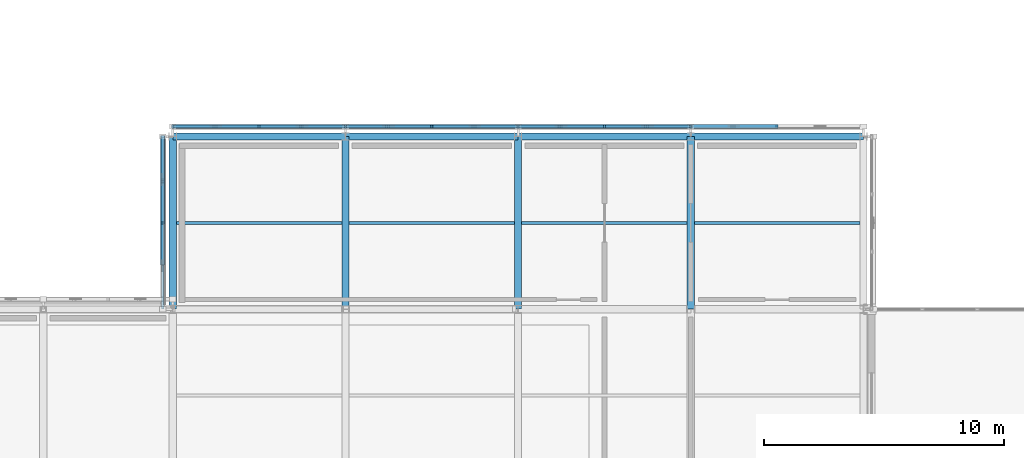
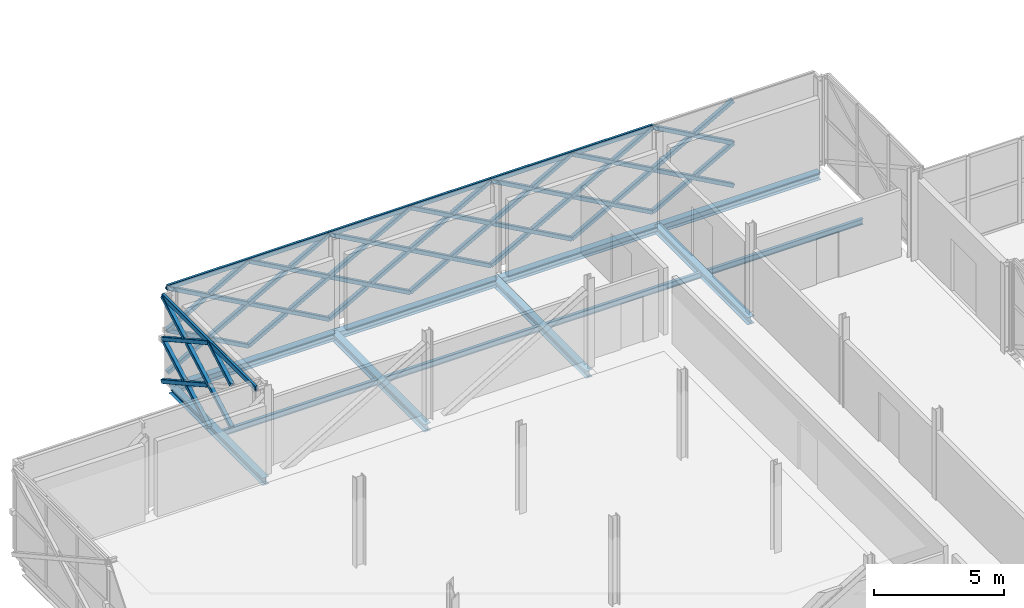
# One storey, part 47 of 126: 54 members, 12 beams.
"""IFC4 building model written with IfcOpenShell, lengths in metres."""

from ifc_helpers import new_model, si_unit, direction, frame, origin, origin_2d, place, context, subcontext, project, spatial, hollow_rectangle, i_section, extrude, material, material_profile, profile_set, type_object, element, save


model = new_model("IFC4")

# Units and contexts
model_context = context("Model", 3, precision=1e-05, world=origin(), true_north=direction((0.0, 1.0)))
body_context = subcontext(model_context, "Body", "Model", "MODEL_VIEW")
ifc_project = project(units=[si_unit("LENGTHUNIT", "METRE"), si_unit("AREAUNIT", "SQUARE_METRE"), si_unit("VOLUMEUNIT", "CUBIC_METRE"), si_unit("PLANEANGLEUNIT", "RADIAN"), si_unit("MASSUNIT", "GRAM", prefix="KILO")], contexts=[model_context])

# Site, building, storey
site_placement = place(None, origin())
site = spatial("IfcSite", under=ifc_project, at=site_placement, CompositionType="ELEMENT")
building_placement = place(site_placement, origin())
building = spatial("IfcBuilding", under=site, at=building_placement, Name="Zlatovets Crest Museum", CompositionType="ELEMENT")
storey_placement = place(building_placement, frame((0.0, 0.0, 8.699951171875)))
storey = spatial("IfcBuildingStorey", under=building, at=storey_placement, Name="L02", CompositionType="ELEMENT", Elevation=8.699951171875)

# Beams
ifc_material_1 = material(Name="Structural steel S355J2", Category="steel")
ifc_material_profile_1 = material_profile(ifc_material_1, i_section(OverallWidth=0.300048828125, OverallDepth=0.35009765625, WebThickness=0.010009765625, FlangeThickness=0.017578125, FilletRadius=0.027099609375, at=origin_2d()), Name="HEA 360")
ifc_profile_set_1 = profile_set([ifc_material_profile_1], Name="Structural steel S355J2")
beam_type_1 = type_object("IfcBeamType", Name="Beam_B-03", PredefinedType="BEAM", material=ifc_profile_set_1)
beam_1_placement = place(storey_placement, frame((7.199951171875, 100.800048828125, -0.39501953125), z_axis=(1.0, 0.0, 0.0), x_axis=(0.0, 1.0, 0.0)))
element("IfcBeam", 1, at=beam_1_placement, inside=storey, type_object=beam_type_1, Name="V4 L02 Primary Girder B-03", PredefinedType="BEAM", context=body_context, shape_type="SweptSolid", body=[
    extrude(i_section(OverallWidth=0.300048828125, OverallDepth=0.35009765625, WebThickness=0.010009765625, FlangeThickness=0.017578125, FilletRadius=0.027099609375, at=origin_2d()), origin(), (0.0, 0.0, 1.0), 7.199951171875),
])
beam_2_placement = place(storey_placement, frame((14.39990234375, 100.800048828125, -0.39501953125), z_axis=(1.0, 0.0, 0.0), x_axis=(0.0, 1.0, 0.0)))
element("IfcBeam", 2, at=beam_2_placement, inside=storey, type_object=beam_type_1, Name="V4 L02 Primary Girder B-03", PredefinedType="BEAM", context=body_context, shape_type="SweptSolid", body=[
    extrude(i_section(OverallWidth=0.300048828125, OverallDepth=0.35009765625, WebThickness=0.010009765625, FlangeThickness=0.017578125, FilletRadius=0.027099609375, at=origin_2d()), origin(), (0.0, 0.0, 1.0), 7.2001953125),
])
for number, where, z_axis, x_axis, name in (
    (3, (21.60009765625, 100.800048828125, -0.39501953125), (1.0, 0.0, 0.0), (0.0, 1.0, 0.0), "V4 L02 Primary Girder B-03"),
    (4, (28.800048828125, 100.800048828125, -0.39501953125), (1.0, 0.0, 0.0), (0.0, 1.0, 0.0), "V4 L02 Primary Girder B-03"),
    (5, (7.199951171875, 93.60009765625, -0.39501953125), (0.0, 1.0, 0.0), (-1.0, 0.0, 0.0), "V4 L02 Grid Beam B-03"),
    (6, (14.39990234375, 93.60009765625, -0.39501953125), (0.0, 1.0, 0.0), (-1.0, 0.0, 0.0), "V4 L02 Grid Beam B-03"),
    (7, (21.60009765625, 93.60009765625, -0.39501953125), (0.0, 1.0, 0.0), (-1.0, 0.0, 0.0), "V4 L02 Grid Beam B-03"),
    (8, (28.800048828125, 93.60009765625, -0.39501953125), (0.0, 1.0, 0.0), (-1.0, 0.0, 0.0), "V4 L02 Grid Beam B-03"),
):
    element("IfcBeam", number, at=place(storey_placement, frame(where, z_axis=z_axis, x_axis=x_axis)), inside=storey, type_object=beam_type_1, Name=name, PredefinedType="BEAM", context=body_context, shape_type="SweptSolid", body=[
        extrude(i_section(OverallWidth=0.300048828125, OverallDepth=0.35009765625, WebThickness=0.010009765625, FlangeThickness=0.017578125, FilletRadius=0.027099609375, at=origin_2d()), origin(), (0.0, 0.0, 1.0), 7.199951171875),
    ])
ifc_material_profile_2 = material_profile(ifc_material_1, i_section(OverallWidth=0.135009765625, OverallDepth=0.27001953125, WebThickness=0.006591796875, FlangeThickness=0.01025390625, FilletRadius=0.014892578125, at=origin_2d()), Name="IPE 270")
ifc_profile_set_2 = profile_set([ifc_material_profile_2], Name="Structural steel S355J2")
beam_type_2 = type_object("IfcBeamType", Name="Beam_J-03", PredefinedType="JOIST", material=ifc_profile_set_2)
for number, where, z_axis, x_axis, name in (
    (9, (7.35009765625, 97.199951171875, -0.35498046875), (1.0, 0.0, 0.0), (0.0, 1.0, 0.0), "V4 L02 Composite Joist J-03"),
    (10, (14.550048828125, 97.199951171875, -0.35498046875), (1.0, 0.0, 0.0), (0.0, 1.0, 0.0), "V4 L02 Composite Joist J-03"),
    (11, (21.75, 97.199951171875, -0.35498046875), (1.0, 0.0, 0.0), (0.0, 1.0, 0.0), "V4 L02 Composite Joist J-03"),
):
    element("IfcBeam", number, at=place(storey_placement, frame(where, z_axis=z_axis, x_axis=x_axis)), inside=storey, type_object=beam_type_2, Name=name, PredefinedType="JOIST", context=body_context, shape_type="SweptSolid", body=[
        extrude(i_section(OverallWidth=0.135009765625, OverallDepth=0.27001953125, WebThickness=0.006591796875, FlangeThickness=0.01025390625, FilletRadius=0.014892578125, at=origin_2d()), origin(), (0.0, 0.0, 1.0), 6.89990234375),
    ])
beam_3_placement = place(storey_placement, frame((28.949951171875, 97.199951171875, -0.35498046875), z_axis=(1.0, 0.0, 0.0), x_axis=(0.0, 1.0, 0.0)))
element("IfcBeam", 12, at=beam_3_placement, inside=storey, type_object=beam_type_2, Name="V4 L02 Composite Joist J-03", PredefinedType="JOIST", context=body_context, shape_type="SweptSolid", body=[
    extrude(i_section(OverallWidth=0.135009765625, OverallDepth=0.27001953125, WebThickness=0.006591796875, FlangeThickness=0.01025390625, FilletRadius=0.014892578125, at=origin_2d()), origin(), (0.0, 0.0, 1.0), 6.900146484375),
])

# Members
ifc_material_2 = material(Name="Weathering bronze-steel S355J2W", Category="steel")
ifc_material_profile_3 = material_profile(ifc_material_2, hollow_rectangle(XDim=0.179931640625, YDim=0.179931640625, WallThickness=0.010009765625, InnerFilletRadius=0.010009765625, OuterFilletRadius=0.02001953125, at=origin_2d()), Name="SHS 180x180x10.0")
ifc_profile_set_3 = profile_set([ifc_material_profile_3], Name="Weathering bronze-steel S355J2W")
member_type_1 = type_object("IfcMemberType", Name="Lattice_XL-01", PredefinedType="BRACE", material=ifc_profile_set_3)
member_1_placement = place(storey_placement, frame((14.39990234375, 101.219970703125, 0.10009765625), z_axis=(-0.874148886685, 0.0, 0.485658031857), x_axis=(0.0, -1.0, 0.0)))
element("IfcMember", 13, at=member_1_placement, inside=storey, type_object=member_type_1, Name="Continuous Bronze Lattice Diagonal", PredefinedType="BRACE", context=body_context, shape_type="SweptSolid", body=[
    extrude(hollow_rectangle(XDim=0.179931640625, YDim=0.179931640625, WallThickness=0.010009765625, InnerFilletRadius=0.010009765625, OuterFilletRadius=0.02001953125, at=origin_2d()), origin(), (0.0, 0.0, 1.0), 4.1181640625),
])
member_2_placement = place(storey_placement, frame((14.39990234375, 101.219970703125, 2.10009765625), z_axis=(-0.874139684676, 0.0, -0.48567459443), x_axis=(0.0, -1.0, 0.0)))
element("IfcMember", 14, at=member_2_placement, inside=storey, type_object=member_type_1, Name="Split Crossing Bronze Lattice Diagonal Upper", PredefinedType="BRACE", context=body_context, shape_type="SweptSolid", body=[
    extrude(hollow_rectangle(XDim=0.179931640625, YDim=0.179931640625, WallThickness=0.010009765625, InnerFilletRadius=0.010009765625, OuterFilletRadius=0.02001953125, at=origin_2d()), origin(), (0.0, 0.0, 1.0), 1.9638671875),
])
member_3_placement = place(storey_placement, frame((12.51708984375, 101.219970703125, 1.053955078125), z_axis=(-0.874169001841, 0.0, -0.485621824284), x_axis=(0.0, -1.0, 0.0)))
element("IfcMember", 15, at=member_3_placement, inside=storey, type_object=member_type_1, Name="Split Crossing Bronze Lattice Diagonal Lower", PredefinedType="BRACE", context=body_context, shape_type="SweptSolid", body=[
    extrude(hollow_rectangle(XDim=0.179931640625, YDim=0.179931640625, WallThickness=0.010009765625, InnerFilletRadius=0.010009765625, OuterFilletRadius=0.02001953125, at=origin_2d()), origin(), (0.0, 0.0, 1.0), 1.964111328125),
])
member_4_placement = place(storey_placement, frame((10.800048828125, 101.219970703125, 0.10009765625), z_axis=(-0.874162868644, 0.0, 0.485632864501), x_axis=(0.0, -1.0, 0.0)))
element("IfcMember", 16, at=member_4_placement, inside=storey, type_object=member_type_1, Name="Continuous Bronze Lattice Diagonal", PredefinedType="BRACE", context=body_context, shape_type="SweptSolid", body=[
    extrude(hollow_rectangle(XDim=0.179931640625, YDim=0.179931640625, WallThickness=0.010009765625, InnerFilletRadius=0.010009765625, OuterFilletRadius=0.02001953125, at=origin_2d()), origin(), (0.0, 0.0, 1.0), 4.118408203125),
])
for number, where, z_axis, x_axis, name in (
    (17, (10.800048828125, 101.219970703125, 2.10009765625), (-0.874169001841, 0.0, -0.485621824284), (0.0, -1.0, 0.0), "Split Crossing Bronze Lattice Diagonal Upper"),
    (18, (8.9169921875, 101.219970703125, 1.053955078125), (-0.874169001841, 0.0, -0.485621824284), (0.0, -1.0, 0.0), "Split Crossing Bronze Lattice Diagonal Lower"),
):
    element("IfcMember", number, at=place(storey_placement, frame(where, z_axis=z_axis, x_axis=x_axis)), inside=storey, type_object=member_type_1, Name=name, PredefinedType="BRACE", context=body_context, shape_type="SweptSolid", body=[
        extrude(hollow_rectangle(XDim=0.179931640625, YDim=0.179931640625, WallThickness=0.010009765625, InnerFilletRadius=0.010009765625, OuterFilletRadius=0.02001953125, at=origin_2d()), origin(), (0.0, 0.0, 1.0), 1.964111328125),
    ])
member_5_placement = place(storey_placement, frame((14.39990234375, 101.219970703125, 2.10009765625), z_axis=(-0.874148886685, 0.0, 0.485658031857), x_axis=(0.0, -1.0, 0.0)))
element("IfcMember", 19, at=member_5_placement, inside=storey, type_object=member_type_1, Name="Continuous Bronze Lattice Diagonal", PredefinedType="BRACE", context=body_context, shape_type="SweptSolid", body=[
    extrude(hollow_rectangle(XDim=0.179931640625, YDim=0.179931640625, WallThickness=0.010009765625, InnerFilletRadius=0.010009765625, OuterFilletRadius=0.02001953125, at=origin_2d()), origin(), (0.0, 0.0, 1.0), 4.1181640625),
])
member_6_placement = place(storey_placement, frame((14.39990234375, 101.219970703125, 4.10009765625), z_axis=(-0.874139684676, 0.0, -0.48567459443), x_axis=(0.0, -1.0, 0.0)))
element("IfcMember", 20, at=member_6_placement, inside=storey, type_object=member_type_1, Name="Split Crossing Bronze Lattice Diagonal Upper", PredefinedType="BRACE", context=body_context, shape_type="SweptSolid", body=[
    extrude(hollow_rectangle(XDim=0.179931640625, YDim=0.179931640625, WallThickness=0.010009765625, InnerFilletRadius=0.010009765625, OuterFilletRadius=0.02001953125, at=origin_2d()), origin(), (0.0, 0.0, 1.0), 1.9638671875),
])
member_7_placement = place(storey_placement, frame((12.51708984375, 101.219970703125, 3.053955078125), z_axis=(-0.874169001841, 0.0, -0.485621824284), x_axis=(0.0, -1.0, 0.0)))
element("IfcMember", 21, at=member_7_placement, inside=storey, type_object=member_type_1, Name="Split Crossing Bronze Lattice Diagonal Lower", PredefinedType="BRACE", context=body_context, shape_type="SweptSolid", body=[
    extrude(hollow_rectangle(XDim=0.179931640625, YDim=0.179931640625, WallThickness=0.010009765625, InnerFilletRadius=0.010009765625, OuterFilletRadius=0.02001953125, at=origin_2d()), origin(), (0.0, 0.0, 1.0), 1.964111328125),
])
member_8_placement = place(storey_placement, frame((10.800048828125, 101.219970703125, 2.10009765625), z_axis=(-0.874162868644, 0.0, 0.485632864501), x_axis=(0.0, -1.0, 0.0)))
element("IfcMember", 22, at=member_8_placement, inside=storey, type_object=member_type_1, Name="Continuous Bronze Lattice Diagonal", PredefinedType="BRACE", context=body_context, shape_type="SweptSolid", body=[
    extrude(hollow_rectangle(XDim=0.179931640625, YDim=0.179931640625, WallThickness=0.010009765625, InnerFilletRadius=0.010009765625, OuterFilletRadius=0.02001953125, at=origin_2d()), origin(), (0.0, 0.0, 1.0), 4.118408203125),
])
for number, where, z_axis, x_axis, name in (
    (23, (10.800048828125, 101.219970703125, 4.10009765625), (-0.874169001841, 0.0, -0.485621824284), (0.0, -1.0, 0.0), "Split Crossing Bronze Lattice Diagonal Upper"),
    (24, (8.9169921875, 101.219970703125, 3.053955078125), (-0.874169001841, 0.0, -0.485621824284), (0.0, -1.0, 0.0), "Split Crossing Bronze Lattice Diagonal Lower"),
):
    element("IfcMember", number, at=place(storey_placement, frame(where, z_axis=z_axis, x_axis=x_axis)), inside=storey, type_object=member_type_1, Name=name, PredefinedType="BRACE", context=body_context, shape_type="SweptSolid", body=[
        extrude(hollow_rectangle(XDim=0.179931640625, YDim=0.179931640625, WallThickness=0.010009765625, InnerFilletRadius=0.010009765625, OuterFilletRadius=0.02001953125, at=origin_2d()), origin(), (0.0, 0.0, 1.0), 1.964111328125),
    ])
member_9_placement = place(storey_placement, frame((21.60009765625, 101.219970703125, 0.10009765625), z_axis=(-0.874162868644, 0.0, 0.485632864501), x_axis=(0.0, -1.0, 0.0)))
element("IfcMember", 25, at=member_9_placement, inside=storey, type_object=member_type_1, Name="Continuous Bronze Lattice Diagonal", PredefinedType="BRACE", context=body_context, shape_type="SweptSolid", body=[
    extrude(hollow_rectangle(XDim=0.179931640625, YDim=0.179931640625, WallThickness=0.010009765625, InnerFilletRadius=0.010009765625, OuterFilletRadius=0.02001953125, at=origin_2d()), origin(), (0.0, 0.0, 1.0), 4.118408203125),
])
for number, where, z_axis, x_axis, name in (
    (26, (21.60009765625, 101.219970703125, 2.10009765625), (-0.874169001841, 0.0, -0.485621824284), (0.0, -1.0, 0.0), "Split Crossing Bronze Lattice Diagonal Upper"),
    (27, (19.717041015625, 101.219970703125, 1.053955078125), (-0.874169001841, 0.0, -0.485621824284), (0.0, -1.0, 0.0), "Split Crossing Bronze Lattice Diagonal Lower"),
):
    element("IfcMember", number, at=place(storey_placement, frame(where, z_axis=z_axis, x_axis=x_axis)), inside=storey, type_object=member_type_1, Name=name, PredefinedType="BRACE", context=body_context, shape_type="SweptSolid", body=[
        extrude(hollow_rectangle(XDim=0.179931640625, YDim=0.179931640625, WallThickness=0.010009765625, InnerFilletRadius=0.010009765625, OuterFilletRadius=0.02001953125, at=origin_2d()), origin(), (0.0, 0.0, 1.0), 1.964111328125),
    ])
member_10_placement = place(storey_placement, frame((18.0, 101.219970703125, 0.10009765625), z_axis=(-0.874162868644, 0.0, 0.485632864501), x_axis=(0.0, -1.0, 0.0)))
element("IfcMember", 28, at=member_10_placement, inside=storey, type_object=member_type_1, Name="Continuous Bronze Lattice Diagonal", PredefinedType="BRACE", context=body_context, shape_type="SweptSolid", body=[
    extrude(hollow_rectangle(XDim=0.179931640625, YDim=0.179931640625, WallThickness=0.010009765625, InnerFilletRadius=0.010009765625, OuterFilletRadius=0.02001953125, at=origin_2d()), origin(), (0.0, 0.0, 1.0), 4.118408203125),
])
for number, where, z_axis, x_axis, name in (
    (29, (18.0, 101.219970703125, 2.10009765625), (-0.874169001841, 0.0, -0.485621824284), (0.0, -1.0, 0.0), "Split Crossing Bronze Lattice Diagonal Upper"),
    (30, (16.116943359375, 101.219970703125, 1.053955078125), (-0.874169001841, 0.0, -0.485621824284), (0.0, -1.0, 0.0), "Split Crossing Bronze Lattice Diagonal Lower"),
):
    element("IfcMember", number, at=place(storey_placement, frame(where, z_axis=z_axis, x_axis=x_axis)), inside=storey, type_object=member_type_1, Name=name, PredefinedType="BRACE", context=body_context, shape_type="SweptSolid", body=[
        extrude(hollow_rectangle(XDim=0.179931640625, YDim=0.179931640625, WallThickness=0.010009765625, InnerFilletRadius=0.010009765625, OuterFilletRadius=0.02001953125, at=origin_2d()), origin(), (0.0, 0.0, 1.0), 1.964111328125),
    ])
member_11_placement = place(storey_placement, frame((21.60009765625, 101.219970703125, 2.10009765625), z_axis=(-0.874162868644, 0.0, 0.485632864501), x_axis=(0.0, -1.0, 0.0)))
element("IfcMember", 31, at=member_11_placement, inside=storey, type_object=member_type_1, Name="Continuous Bronze Lattice Diagonal", PredefinedType="BRACE", context=body_context, shape_type="SweptSolid", body=[
    extrude(hollow_rectangle(XDim=0.179931640625, YDim=0.179931640625, WallThickness=0.010009765625, InnerFilletRadius=0.010009765625, OuterFilletRadius=0.02001953125, at=origin_2d()), origin(), (0.0, 0.0, 1.0), 4.118408203125),
])
for number, where, z_axis, x_axis, name in (
    (32, (21.60009765625, 101.219970703125, 4.10009765625), (-0.874169001841, 0.0, -0.485621824284), (0.0, -1.0, 0.0), "Split Crossing Bronze Lattice Diagonal Upper"),
    (33, (19.717041015625, 101.219970703125, 3.053955078125), (-0.874169001841, 0.0, -0.485621824284), (0.0, -1.0, 0.0), "Split Crossing Bronze Lattice Diagonal Lower"),
):
    element("IfcMember", number, at=place(storey_placement, frame(where, z_axis=z_axis, x_axis=x_axis)), inside=storey, type_object=member_type_1, Name=name, PredefinedType="BRACE", context=body_context, shape_type="SweptSolid", body=[
        extrude(hollow_rectangle(XDim=0.179931640625, YDim=0.179931640625, WallThickness=0.010009765625, InnerFilletRadius=0.010009765625, OuterFilletRadius=0.02001953125, at=origin_2d()), origin(), (0.0, 0.0, 1.0), 1.964111328125),
    ])
member_12_placement = place(storey_placement, frame((18.0, 101.219970703125, 2.10009765625), z_axis=(-0.874162868644, 0.0, 0.485632864501), x_axis=(0.0, -1.0, 0.0)))
element("IfcMember", 34, at=member_12_placement, inside=storey, type_object=member_type_1, Name="Continuous Bronze Lattice Diagonal", PredefinedType="BRACE", context=body_context, shape_type="SweptSolid", body=[
    extrude(hollow_rectangle(XDim=0.179931640625, YDim=0.179931640625, WallThickness=0.010009765625, InnerFilletRadius=0.010009765625, OuterFilletRadius=0.02001953125, at=origin_2d()), origin(), (0.0, 0.0, 1.0), 4.118408203125),
])
for number, where, z_axis, x_axis, name in (
    (35, (18.0, 101.219970703125, 4.10009765625), (-0.874169001841, 0.0, -0.485621824284), (0.0, -1.0, 0.0), "Split Crossing Bronze Lattice Diagonal Upper"),
    (36, (16.116943359375, 101.219970703125, 3.053955078125), (-0.874169001841, 0.0, -0.485621824284), (0.0, -1.0, 0.0), "Split Crossing Bronze Lattice Diagonal Lower"),
):
    element("IfcMember", number, at=place(storey_placement, frame(where, z_axis=z_axis, x_axis=x_axis)), inside=storey, type_object=member_type_1, Name=name, PredefinedType="BRACE", context=body_context, shape_type="SweptSolid", body=[
        extrude(hollow_rectangle(XDim=0.179931640625, YDim=0.179931640625, WallThickness=0.010009765625, InnerFilletRadius=0.010009765625, OuterFilletRadius=0.02001953125, at=origin_2d()), origin(), (0.0, 0.0, 1.0), 1.964111328125),
    ])
member_13_placement = place(storey_placement, frame((28.800048828125, 101.219970703125, 0.10009765625), z_axis=(-0.874162868644, 0.0, 0.485632864501), x_axis=(0.0, -1.0, 0.0)))
element("IfcMember", 37, at=member_13_placement, inside=storey, type_object=member_type_1, Name="Continuous Bronze Lattice Diagonal", PredefinedType="BRACE", context=body_context, shape_type="SweptSolid", body=[
    extrude(hollow_rectangle(XDim=0.179931640625, YDim=0.179931640625, WallThickness=0.010009765625, InnerFilletRadius=0.010009765625, OuterFilletRadius=0.02001953125, at=origin_2d()), origin(), (0.0, 0.0, 1.0), 4.118408203125),
])
for number, where, z_axis, x_axis, name in (
    (38, (28.800048828125, 101.219970703125, 2.10009765625), (-0.874169001841, 0.0, -0.485621824284), (0.0, -1.0, 0.0), "Split Crossing Bronze Lattice Diagonal Upper"),
    (39, (26.9169921875, 101.219970703125, 1.053955078125), (-0.874169001841, 0.0, -0.485621824284), (0.0, -1.0, 0.0), "Split Crossing Bronze Lattice Diagonal Lower"),
):
    element("IfcMember", number, at=place(storey_placement, frame(where, z_axis=z_axis, x_axis=x_axis)), inside=storey, type_object=member_type_1, Name=name, PredefinedType="BRACE", context=body_context, shape_type="SweptSolid", body=[
        extrude(hollow_rectangle(XDim=0.179931640625, YDim=0.179931640625, WallThickness=0.010009765625, InnerFilletRadius=0.010009765625, OuterFilletRadius=0.02001953125, at=origin_2d()), origin(), (0.0, 0.0, 1.0), 1.964111328125),
    ])
member_14_placement = place(storey_placement, frame((25.199951171875, 101.219970703125, 0.10009765625), z_axis=(-0.874148886685, 0.0, 0.485658031857), x_axis=(0.0, -1.0, 0.0)))
element("IfcMember", 40, at=member_14_placement, inside=storey, type_object=member_type_1, Name="Continuous Bronze Lattice Diagonal", PredefinedType="BRACE", context=body_context, shape_type="SweptSolid", body=[
    extrude(hollow_rectangle(XDim=0.179931640625, YDim=0.179931640625, WallThickness=0.010009765625, InnerFilletRadius=0.010009765625, OuterFilletRadius=0.02001953125, at=origin_2d()), origin(), (0.0, 0.0, 1.0), 4.1181640625),
])
member_15_placement = place(storey_placement, frame((25.199951171875, 101.219970703125, 2.10009765625), z_axis=(-0.874169001841, 0.0, -0.485621824284), x_axis=(0.0, -1.0, 0.0)))
element("IfcMember", 41, at=member_15_placement, inside=storey, type_object=member_type_1, Name="Split Crossing Bronze Lattice Diagonal Upper", PredefinedType="BRACE", context=body_context, shape_type="SweptSolid", body=[
    extrude(hollow_rectangle(XDim=0.179931640625, YDim=0.179931640625, WallThickness=0.010009765625, InnerFilletRadius=0.010009765625, OuterFilletRadius=0.02001953125, at=origin_2d()), origin(), (0.0, 0.0, 1.0), 1.964111328125),
])
member_16_placement = place(storey_placement, frame((23.31689453125, 101.219970703125, 1.053955078125), z_axis=(-0.874139684676, 0.0, -0.48567459443), x_axis=(0.0, -1.0, 0.0)))
element("IfcMember", 42, at=member_16_placement, inside=storey, type_object=member_type_1, Name="Split Crossing Bronze Lattice Diagonal Lower", PredefinedType="BRACE", context=body_context, shape_type="SweptSolid", body=[
    extrude(hollow_rectangle(XDim=0.179931640625, YDim=0.179931640625, WallThickness=0.010009765625, InnerFilletRadius=0.010009765625, OuterFilletRadius=0.02001953125, at=origin_2d()), origin(), (0.0, 0.0, 1.0), 1.9638671875),
])
member_17_placement = place(storey_placement, frame((28.800048828125, 101.219970703125, 2.10009765625), z_axis=(-0.874162868644, 0.0, 0.485632864501), x_axis=(0.0, -1.0, 0.0)))
element("IfcMember", 43, at=member_17_placement, inside=storey, type_object=member_type_1, Name="Continuous Bronze Lattice Diagonal", PredefinedType="BRACE", context=body_context, shape_type="SweptSolid", body=[
    extrude(hollow_rectangle(XDim=0.179931640625, YDim=0.179931640625, WallThickness=0.010009765625, InnerFilletRadius=0.010009765625, OuterFilletRadius=0.02001953125, at=origin_2d()), origin(), (0.0, 0.0, 1.0), 4.118408203125),
])
for number, where, z_axis, x_axis, name in (
    (44, (28.800048828125, 101.219970703125, 4.10009765625), (-0.874169001841, 0.0, -0.485621824284), (0.0, -1.0, 0.0), "Split Crossing Bronze Lattice Diagonal Upper"),
    (45, (26.9169921875, 101.219970703125, 3.053955078125), (-0.874169001841, 0.0, -0.485621824284), (0.0, -1.0, 0.0), "Split Crossing Bronze Lattice Diagonal Lower"),
):
    element("IfcMember", number, at=place(storey_placement, frame(where, z_axis=z_axis, x_axis=x_axis)), inside=storey, type_object=member_type_1, Name=name, PredefinedType="BRACE", context=body_context, shape_type="SweptSolid", body=[
        extrude(hollow_rectangle(XDim=0.179931640625, YDim=0.179931640625, WallThickness=0.010009765625, InnerFilletRadius=0.010009765625, OuterFilletRadius=0.02001953125, at=origin_2d()), origin(), (0.0, 0.0, 1.0), 1.964111328125),
    ])
member_18_placement = place(storey_placement, frame((25.199951171875, 101.219970703125, 2.10009765625), z_axis=(-0.874148886685, 0.0, 0.485658031857), x_axis=(0.0, -1.0, 0.0)))
element("IfcMember", 46, at=member_18_placement, inside=storey, type_object=member_type_1, Name="Continuous Bronze Lattice Diagonal", PredefinedType="BRACE", context=body_context, shape_type="SweptSolid", body=[
    extrude(hollow_rectangle(XDim=0.179931640625, YDim=0.179931640625, WallThickness=0.010009765625, InnerFilletRadius=0.010009765625, OuterFilletRadius=0.02001953125, at=origin_2d()), origin(), (0.0, 0.0, 1.0), 4.1181640625),
])
member_19_placement = place(storey_placement, frame((25.199951171875, 101.219970703125, 4.10009765625), z_axis=(-0.874169001841, 0.0, -0.485621824284), x_axis=(0.0, -1.0, 0.0)))
element("IfcMember", 47, at=member_19_placement, inside=storey, type_object=member_type_1, Name="Split Crossing Bronze Lattice Diagonal Upper", PredefinedType="BRACE", context=body_context, shape_type="SweptSolid", body=[
    extrude(hollow_rectangle(XDim=0.179931640625, YDim=0.179931640625, WallThickness=0.010009765625, InnerFilletRadius=0.010009765625, OuterFilletRadius=0.02001953125, at=origin_2d()), origin(), (0.0, 0.0, 1.0), 1.964111328125),
])
member_20_placement = place(storey_placement, frame((23.31689453125, 101.219970703125, 3.053955078125), z_axis=(-0.874139684676, 0.0, -0.48567459443), x_axis=(0.0, -1.0, 0.0)))
element("IfcMember", 48, at=member_20_placement, inside=storey, type_object=member_type_1, Name="Split Crossing Bronze Lattice Diagonal Lower", PredefinedType="BRACE", context=body_context, shape_type="SweptSolid", body=[
    extrude(hollow_rectangle(XDim=0.179931640625, YDim=0.179931640625, WallThickness=0.010009765625, InnerFilletRadius=0.010009765625, OuterFilletRadius=0.02001953125, at=origin_2d()), origin(), (0.0, 0.0, 1.0), 1.9638671875),
])
member_21_placement = place(storey_placement, frame((32.39990234375, 101.219970703125, 0.10009765625), z_axis=(-0.874148886685, 0.0, 0.485658031857), x_axis=(0.0, -1.0, 0.0)))
element("IfcMember", 49, at=member_21_placement, inside=storey, type_object=member_type_1, Name="Continuous Bronze Lattice Diagonal", PredefinedType="BRACE", context=body_context, shape_type="SweptSolid", body=[
    extrude(hollow_rectangle(XDim=0.179931640625, YDim=0.179931640625, WallThickness=0.010009765625, InnerFilletRadius=0.010009765625, OuterFilletRadius=0.02001953125, at=origin_2d()), origin(), (0.0, 0.0, 1.0), 4.1181640625),
])
member_22_placement = place(storey_placement, frame((32.39990234375, 101.219970703125, 2.10009765625), z_axis=(-0.874139684676, 0.0, -0.48567459443), x_axis=(0.0, -1.0, 0.0)))
element("IfcMember", 50, at=member_22_placement, inside=storey, type_object=member_type_1, Name="Split Crossing Bronze Lattice Diagonal Upper", PredefinedType="BRACE", context=body_context, shape_type="SweptSolid", body=[
    extrude(hollow_rectangle(XDim=0.179931640625, YDim=0.179931640625, WallThickness=0.010009765625, InnerFilletRadius=0.010009765625, OuterFilletRadius=0.02001953125, at=origin_2d()), origin(), (0.0, 0.0, 1.0), 1.9638671875),
])
member_23_placement = place(storey_placement, frame((30.51708984375, 101.219970703125, 1.053955078125), z_axis=(-0.874169001841, 0.0, -0.485621824284), x_axis=(0.0, -1.0, 0.0)))
element("IfcMember", 51, at=member_23_placement, inside=storey, type_object=member_type_1, Name="Split Crossing Bronze Lattice Diagonal Lower", PredefinedType="BRACE", context=body_context, shape_type="SweptSolid", body=[
    extrude(hollow_rectangle(XDim=0.179931640625, YDim=0.179931640625, WallThickness=0.010009765625, InnerFilletRadius=0.010009765625, OuterFilletRadius=0.02001953125, at=origin_2d()), origin(), (0.0, 0.0, 1.0), 1.964111328125),
])
member_24_placement = place(storey_placement, frame((32.39990234375, 101.219970703125, 2.10009765625), z_axis=(-0.874148886685, 0.0, 0.485658031857), x_axis=(0.0, -1.0, 0.0)))
element("IfcMember", 52, at=member_24_placement, inside=storey, type_object=member_type_1, Name="Continuous Bronze Lattice Diagonal", PredefinedType="BRACE", context=body_context, shape_type="SweptSolid", body=[
    extrude(hollow_rectangle(XDim=0.179931640625, YDim=0.179931640625, WallThickness=0.010009765625, InnerFilletRadius=0.010009765625, OuterFilletRadius=0.02001953125, at=origin_2d()), origin(), (0.0, 0.0, 1.0), 4.1181640625),
])
member_25_placement = place(storey_placement, frame((32.39990234375, 101.219970703125, 4.10009765625), z_axis=(-0.874139684676, 0.0, -0.48567459443), x_axis=(0.0, -1.0, 0.0)))
element("IfcMember", 53, at=member_25_placement, inside=storey, type_object=member_type_1, Name="Split Crossing Bronze Lattice Diagonal Upper", PredefinedType="BRACE", context=body_context, shape_type="SweptSolid", body=[
    extrude(hollow_rectangle(XDim=0.179931640625, YDim=0.179931640625, WallThickness=0.010009765625, InnerFilletRadius=0.010009765625, OuterFilletRadius=0.02001953125, at=origin_2d()), origin(), (0.0, 0.0, 1.0), 1.9638671875),
])
member_26_placement = place(storey_placement, frame((30.51708984375, 101.219970703125, 3.053955078125), z_axis=(-0.874169001841, 0.0, -0.485621824284), x_axis=(0.0, -1.0, 0.0)))
element("IfcMember", 54, at=member_26_placement, inside=storey, type_object=member_type_1, Name="Split Crossing Bronze Lattice Diagonal Lower", PredefinedType="BRACE", context=body_context, shape_type="SweptSolid", body=[
    extrude(hollow_rectangle(XDim=0.179931640625, YDim=0.179931640625, WallThickness=0.010009765625, InnerFilletRadius=0.010009765625, OuterFilletRadius=0.02001953125, at=origin_2d()), origin(), (0.0, 0.0, 1.0), 1.964111328125),
])
member_27_placement = place(storey_placement, frame((6.780029296875, 100.800048828125, 0.10009765625), z_axis=(0.0, -0.874162868644, 0.485632864501), x_axis=(1.0, 0.0, 0.0)))
element("IfcMember", 55, at=member_27_placement, inside=storey, type_object=member_type_1, Name="Continuous Bronze Lattice Diagonal", PredefinedType="BRACE", context=body_context, shape_type="SweptSolid", body=[
    extrude(hollow_rectangle(XDim=0.179931640625, YDim=0.179931640625, WallThickness=0.010009765625, InnerFilletRadius=0.010009765625, OuterFilletRadius=0.02001953125, at=origin_2d()), origin(), (0.0, 0.0, 1.0), 4.118408203125),
])
for number, where, z_axis, x_axis, name in (
    (56, (6.780029296875, 100.800048828125, 2.10009765625), (0.0, -0.874169001841, -0.485621824284), (1.0, 0.0, 0.0), "Split Crossing Bronze Lattice Diagonal Upper"),
    (57, (6.780029296875, 98.9169921875, 1.053955078125), (0.0, -0.874169001841, -0.485621824284), (1.0, 0.0, 0.0), "Split Crossing Bronze Lattice Diagonal Lower"),
    (58, (6.780029296875, 97.199951171875, 2.10009765625), (0.0, -0.874169001841, -0.485621824284), (1.0, 0.0, 0.0), "Split Crossing Bronze Lattice Diagonal Upper"),
):
    element("IfcMember", number, at=place(storey_placement, frame(where, z_axis=z_axis, x_axis=x_axis)), inside=storey, type_object=member_type_1, Name=name, PredefinedType="BRACE", context=body_context, shape_type="SweptSolid", body=[
        extrude(hollow_rectangle(XDim=0.179931640625, YDim=0.179931640625, WallThickness=0.010009765625, InnerFilletRadius=0.010009765625, OuterFilletRadius=0.02001953125, at=origin_2d()), origin(), (0.0, 0.0, 1.0), 1.964111328125),
    ])
member_28_placement = place(storey_placement, frame((6.780029296875, 100.800048828125, 2.10009765625), z_axis=(0.0, -0.874162868644, 0.485632864501), x_axis=(1.0, 0.0, 0.0)))
element("IfcMember", 59, at=member_28_placement, inside=storey, type_object=member_type_1, Name="Continuous Bronze Lattice Diagonal", PredefinedType="BRACE", context=body_context, shape_type="SweptSolid", body=[
    extrude(hollow_rectangle(XDim=0.179931640625, YDim=0.179931640625, WallThickness=0.010009765625, InnerFilletRadius=0.010009765625, OuterFilletRadius=0.02001953125, at=origin_2d()), origin(), (0.0, 0.0, 1.0), 4.118408203125),
])
for number, where, z_axis, x_axis, name in (
    (60, (6.780029296875, 100.800048828125, 4.10009765625), (0.0, -0.874169001841, -0.485621824284), (1.0, 0.0, 0.0), "Split Crossing Bronze Lattice Diagonal Upper"),
    (61, (6.780029296875, 98.9169921875, 3.053955078125), (0.0, -0.874169001841, -0.485621824284), (1.0, 0.0, 0.0), "Split Crossing Bronze Lattice Diagonal Lower"),
    (62, (6.780029296875, 97.199951171875, 4.10009765625), (0.0, -0.874169001841, -0.485621824284), (1.0, 0.0, 0.0), "Split Crossing Bronze Lattice Diagonal Upper"),
):
    element("IfcMember", number, at=place(storey_placement, frame(where, z_axis=z_axis, x_axis=x_axis)), inside=storey, type_object=member_type_1, Name=name, PredefinedType="BRACE", context=body_context, shape_type="SweptSolid", body=[
        extrude(hollow_rectangle(XDim=0.179931640625, YDim=0.179931640625, WallThickness=0.010009765625, InnerFilletRadius=0.010009765625, OuterFilletRadius=0.02001953125, at=origin_2d()), origin(), (0.0, 0.0, 1.0), 1.964111328125),
    ])
ifc_material_profile_4 = material_profile(ifc_material_2, hollow_rectangle(XDim=0.1201171875, YDim=0.239990234375, WallThickness=0.010009765625, InnerFilletRadius=0.010009765625, OuterFilletRadius=0.02001953125, at=origin_2d()), Name="RHS 120x240x10.0")
ifc_profile_set_4 = profile_set([ifc_material_profile_4], Name="Weathering bronze-steel S355J2W")
member_type_2 = type_object("IfcMemberType", Name="Lattice_XL-04", PredefinedType="CHORD", material=ifc_profile_set_4)
member_29_placement = place(storey_placement, frame((14.39990234375, 101.219970703125, 4.10009765625), z_axis=(-1.0, 0.0, 0.0), x_axis=(0.0, -1.0, 0.0)))
element("IfcMember", 63, at=member_29_placement, inside=storey, type_object=member_type_2, Name="Art Nouveau Woven Cage Collector Ring Chord", PredefinedType="CHORD", context=body_context, shape_type="SweptSolid", body=[
    extrude(hollow_rectangle(XDim=0.1201171875, YDim=0.239990234375, WallThickness=0.010009765625, InnerFilletRadius=0.010009765625, OuterFilletRadius=0.02001953125, at=origin_2d()), origin(), (0.0, 0.0, 1.0), 7.199951171875),
])
member_30_placement = place(storey_placement, frame((21.60009765625, 101.219970703125, 4.10009765625), z_axis=(-1.0, 0.0, 0.0), x_axis=(0.0, -1.0, 0.0)))
element("IfcMember", 64, at=member_30_placement, inside=storey, type_object=member_type_2, Name="Art Nouveau Woven Cage Collector Ring Chord", PredefinedType="CHORD", context=body_context, shape_type="SweptSolid", body=[
    extrude(hollow_rectangle(XDim=0.1201171875, YDim=0.239990234375, WallThickness=0.010009765625, InnerFilletRadius=0.010009765625, OuterFilletRadius=0.02001953125, at=origin_2d()), origin(), (0.0, 0.0, 1.0), 7.2001953125),
])
for number, where, z_axis, x_axis, name in (
    (65, (28.800048828125, 101.219970703125, 4.10009765625), (-1.0, 0.0, 0.0), (0.0, -1.0, 0.0), "Art Nouveau Woven Cage Collector Ring Chord"),
    (66, (6.780029296875, 100.800048828125, 4.10009765625), (0.0, -1.0, 0.0), (1.0, 0.0, 0.0), "Art Nouveau Woven Cage Collector Ring Chord"),
):
    element("IfcMember", number, at=place(storey_placement, frame(where, z_axis=z_axis, x_axis=x_axis)), inside=storey, type_object=member_type_2, Name=name, PredefinedType="CHORD", context=body_context, shape_type="SweptSolid", body=[
        extrude(hollow_rectangle(XDim=0.1201171875, YDim=0.239990234375, WallThickness=0.010009765625, InnerFilletRadius=0.010009765625, OuterFilletRadius=0.02001953125, at=origin_2d()), origin(), (0.0, 0.0, 1.0), 7.199951171875),
    ])

save(model, "model.ifc")
